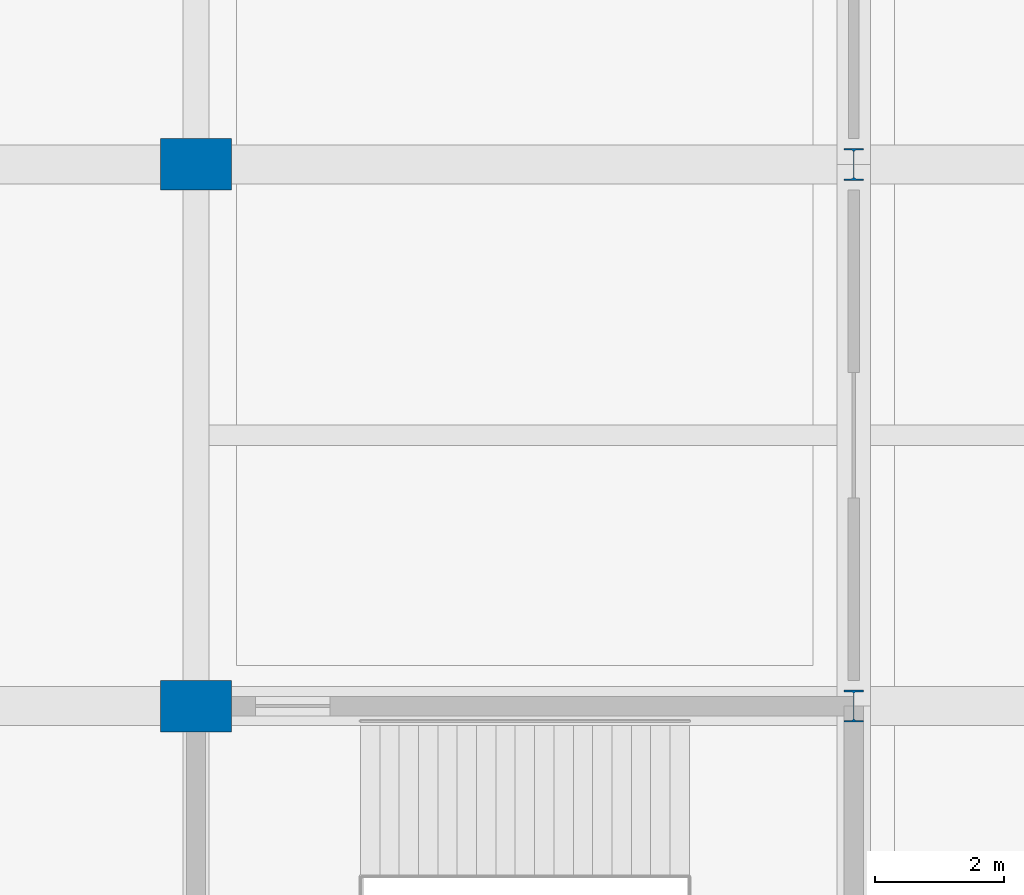
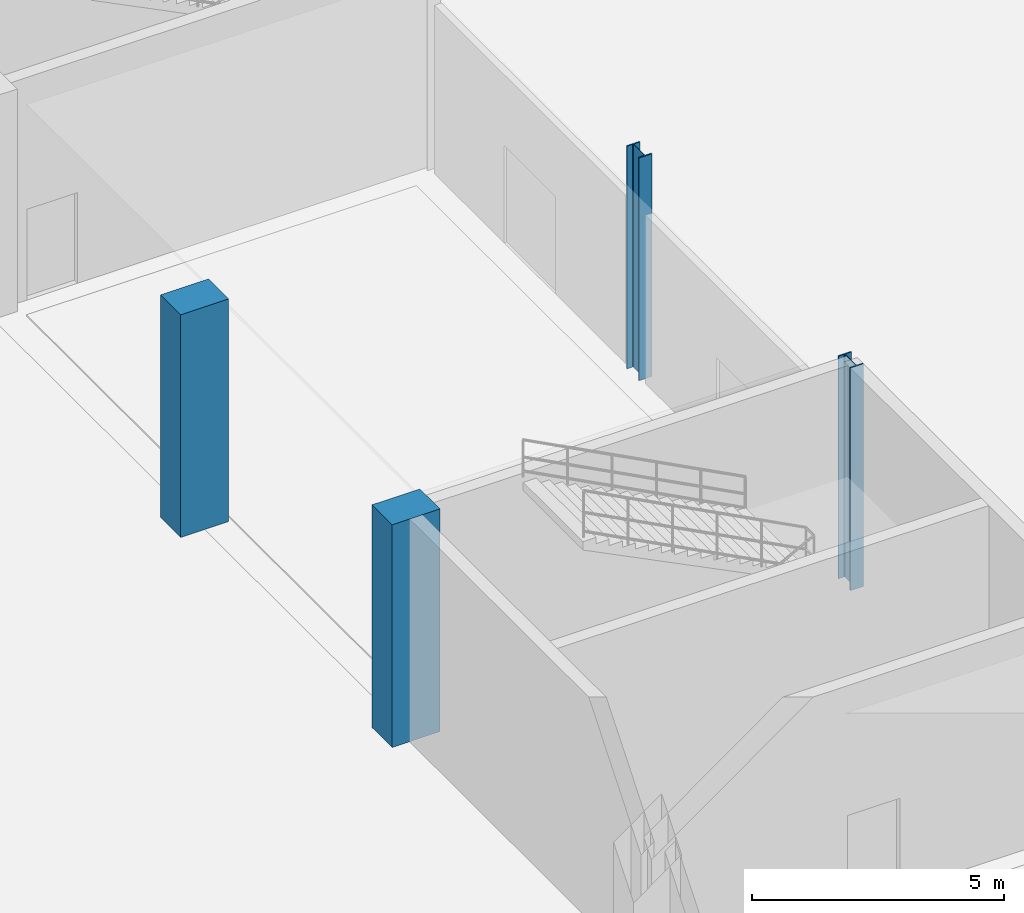
# One storey, part 17 of 124: 4 columns.
"""IFC4 building model written with IfcOpenShell, lengths in metres."""

from ifc_helpers import new_model, si_unit, direction, frame, origin, origin_2d, place, context, subcontext, project, spatial, rectangle, i_section, extrude, material, material_profile, profile_set, type_object, element, save


model = new_model("IFC4")

# Units and contexts
model_context = context("Model", 3, precision=1e-05, world=origin(), true_north=direction((0.0, 1.0)))
body_context = subcontext(model_context, "Body", "Model", "MODEL_VIEW")
ifc_project = project(units=[si_unit("LENGTHUNIT", "METRE"), si_unit("AREAUNIT", "SQUARE_METRE"), si_unit("VOLUMEUNIT", "CUBIC_METRE"), si_unit("PLANEANGLEUNIT", "RADIAN"), si_unit("MASSUNIT", "GRAM", prefix="KILO")], contexts=[model_context])

# Site, building, storey
site_placement = place(None, origin())
site = spatial("IfcSite", under=ifc_project, at=site_placement, CompositionType="ELEMENT")
building_placement = place(site_placement, origin())
building = spatial("IfcBuilding", under=site, at=building_placement, Name="Brelvane Convention Centre", CompositionType="ELEMENT")
storey_placement = place(building_placement, origin())
storey = spatial("IfcBuildingStorey", under=building, at=storey_placement, Name="L00", CompositionType="ELEMENT", Elevation=0.0)

# Columns
ifc_material_1 = material(Name="Concrete M50", Category="concrete")
ifc_material_profile_1 = material_profile(ifc_material_1, rectangle(XDim=1.10009765625, YDim=0.800048828125, at=origin_2d()), Name="RC 1100x800")
ifc_profile_set_1 = profile_set([ifc_material_profile_1], Name="Concrete M50")
column_type_1 = type_object("IfcColumnType", Name="RC Column C-RC11 (RC 1100x800)", PredefinedType="COLUMN", material=ifc_profile_set_1)
for number, where, z_axis, x_axis, name in (
    (1, (163.199951171875, 118.800048828125, 0.0), (0.0, 0.0, 1.0), (1.0, 0.0, 0.0), "Column 17-M (L00)"),
    (2, (163.199951171875, 127.199951171875, 0.0), (0.0, 0.0, 1.0), (1.0, 0.0, 0.0), "Column 17-N (L00)"),
):
    element("IfcColumn", number, at=place(storey_placement, frame(where, z_axis=z_axis, x_axis=x_axis)), inside=storey, type_object=column_type_1, Name=name, PredefinedType="COLUMN", context=body_context, shape_type="SweptSolid", body=[
        extrude(rectangle(XDim=1.10009765625, YDim=0.800048828125, at=origin_2d()), origin(), (0.0, 0.0, 1.0), 5.39990234375),
    ])
ifc_material_2 = material(Name="Steel E350 (350 MPa)", Category="steel")
ifc_material_profile_2 = material_profile(ifc_material_2, i_section(OverallWidth=0.300048828125, OverallDepth=0.5, WebThickness=0.014404296875, FlangeThickness=0.028076171875, FilletRadius=0.027099609375, at=origin_2d()), Name="WPB 500x300")
ifc_profile_set_2 = profile_set([ifc_material_profile_2], Name="Steel E350 (350 MPa)")
column_type_2 = type_object("IfcColumnType", Name="Steel Column C-ST6 (WPB 500x300)", PredefinedType="COLUMN", material=ifc_profile_set_2)
for number, where, z_axis, x_axis, name in (
    (3, (173.39990234375, 118.800048828125, 0.0), (0.0, 0.0, 1.0), (1.0, 0.0, 0.0), "Column 18-M (L00)"),
    (4, (173.39990234375, 127.199951171875, 0.0), (0.0, 0.0, 1.0), (1.0, 0.0, 0.0), "Column 18-N (L00)"),
):
    element("IfcColumn", number, at=place(storey_placement, frame(where, z_axis=z_axis, x_axis=x_axis)), inside=storey, type_object=column_type_2, Name=name, PredefinedType="COLUMN", context=body_context, shape_type="SweptSolid", body=[
        extrude(i_section(OverallWidth=0.300048828125, OverallDepth=0.5, WebThickness=0.014404296875, FlangeThickness=0.028076171875, FilletRadius=0.027099609375, at=origin_2d()), origin(), (0.0, 0.0, 1.0), 5.39990234375),
    ])

save(model, "model.ifc")
